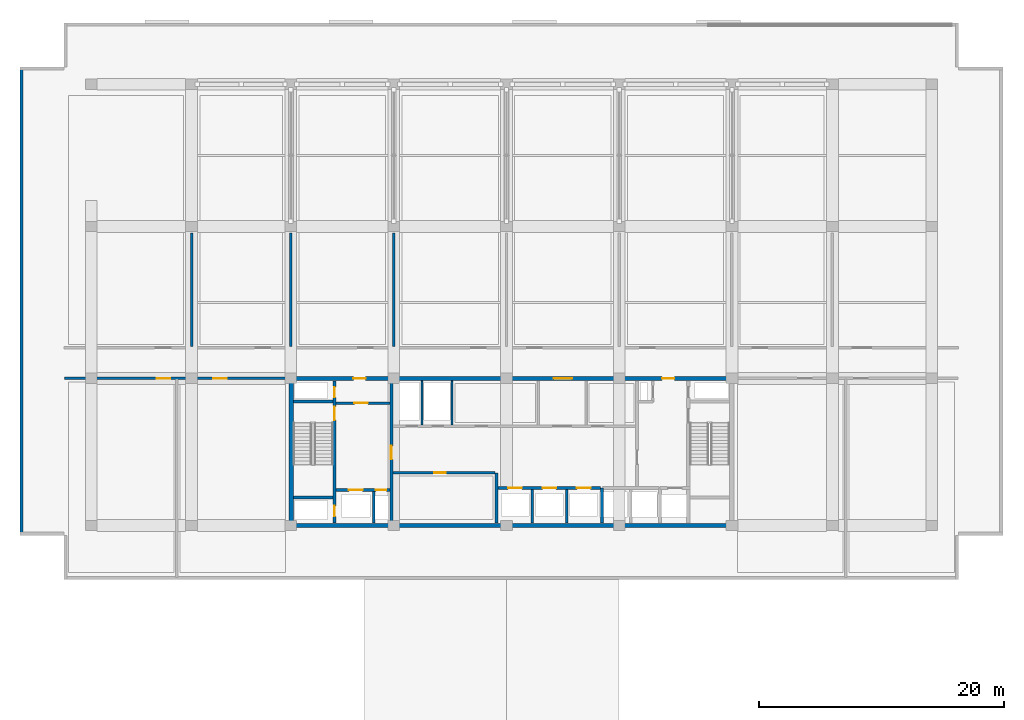
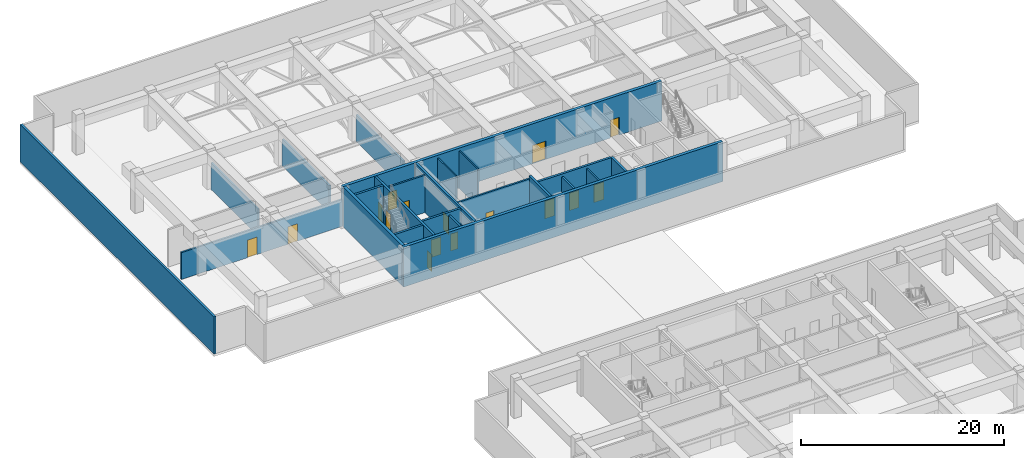
# One storey, part 11 of 22: 23 walls, 16 doors, 16 openings.
"""IFC4 building model written with IfcOpenShell, lengths in metres."""

import ifcopenshell
import ifcopenshell.guid

model = None  # the IFC model being written
_history = None  # IfcOwnerHistory: only IFC2X3 demands one
_inside = {}  # id of a spatial element -> (the spatial element, [elements in it])
_under = {}  # id of a project, library or spatial element -> (it, [spatial elements below it])
_declared = {}  # id of a project -> (the project, [libraries it declares])
_typed = {}  # id of a type object -> (the type object, [elements of that type])
_made_of = {}  # id of a material, layer set ... -> (it, [elements and type objects made of it])


def new_model(schema):
    """Start an empty IFC model of exactly this schema.

    Asked for "IFC4X3", IfcOpenShell would pick the latest addendum, in which some entities
    have other attributes; the version numbers below select the first issue.
    IFC2X3 requires an IfcOwnerHistory on every rooted entity: one is made here for all.
    """
    global model, _history
    if schema == "IFC4X3":
        model = ifcopenshell.file(schema_version=(4, 3, 0, 0))
    else:
        model = ifcopenshell.file(schema=schema)
    _inside.clear()
    _under.clear()
    _declared.clear()
    _typed.clear()
    _made_of.clear()
    _history = None
    if model.schema == "IFC2X3":
        org = make("IfcOrganization", Name="unknown")
        user = make(
            "IfcPersonAndOrganization",
            ThePerson=make("IfcPerson", FamilyName="unknown"),
            TheOrganization=org,
        )
        app = make(
            "IfcApplication",
            ApplicationDeveloper=org,
            Version="unknown",
            ApplicationFullName="unknown",
            ApplicationIdentifier="unknown",
        )
        _history = make(
            "IfcOwnerHistory",
            OwningUser=user,
            OwningApplication=app,
            ChangeAction="ADDED",
            CreationDate=0,
        )
    return model


def make(cls, **values):
    """One entity of the class cls with the attributes given. An attribute that is None is left unset."""
    return model.create_entity(
        cls, **{name: value for name, value in values.items() if value is not None}
    )


def rooted(cls, **values):
    """An entity with a GlobalId (a new one), such as an element, a storey or a relation."""
    return make(cls, GlobalId=ifcopenshell.guid.new(), OwnerHistory=_history, **values)


def si_unit(unit_type, name, prefix=None):
    """IfcSIUnit, for example si_unit("LENGTHUNIT", "METRE", prefix="MILLI")."""
    return make("IfcSIUnit", UnitType=unit_type, Prefix=prefix, Name=name)


def assignment(units):
    """IfcUnitAssignment: the units of a project."""
    return None if units is None else make("IfcUnitAssignment", Units=units)


def point(xyz):
    """IfcCartesianPoint."""
    return None if xyz is None else make("IfcCartesianPoint", Coordinates=xyz)


def direction(xyz):
    """IfcDirection."""
    return None if xyz is None else make("IfcDirection", DirectionRatios=xyz)


def frame(location, z_axis=None, x_axis=None):
    """IfcAxis2Placement3D, a coordinate frame: its origin and axes. An axis left out is left unset."""
    return make(
        "IfcAxis2Placement3D",
        Location=point(location),
        Axis=direction(z_axis),
        RefDirection=direction(x_axis),
    )


def frame_2d(location, x_axis=None):
    """IfcAxis2Placement2D, a coordinate frame in the plane: its origin and x axis."""
    return make(
        "IfcAxis2Placement2D", Location=point(location), RefDirection=direction(x_axis)
    )


def origin():
    """The frame at (0, 0, 0) with its axes left unset."""
    return frame((0.0, 0.0, 0.0))


def place(relative_to, where):
    """IfcLocalPlacement: puts the frame where relative to a parent placement (None: the world)."""
    return make(
        "IfcLocalPlacement", PlacementRelTo=relative_to, RelativePlacement=where
    )


def context(
    kind, dimensions, precision=None, world=None, true_north=None, identifier=None
):
    """IfcGeometricRepresentationContext, for example the 3D "Model" context."""
    return make(
        "IfcGeometricRepresentationContext",
        ContextIdentifier=identifier,
        ContextType=kind,
        CoordinateSpaceDimension=dimensions,
        Precision=precision,
        WorldCoordinateSystem=world,
        TrueNorth=true_north,
    )


def subcontext(parent, identifier, kind, view, scale=None):
    """IfcGeometricRepresentationSubContext, for example "Body" below "Model"."""
    return make(
        "IfcGeometricRepresentationSubContext",
        ContextIdentifier=identifier,
        ContextType=kind,
        ParentContext=parent,
        TargetScale=scale,
        TargetView=view,
    )


def project(units=None, contexts=None):
    """IfcProject with its units and contexts."""
    return rooted(
        "IfcProject",
        Name="project",
        RepresentationContexts=contexts,
        UnitsInContext=assignment(units),
    )


def spatial(cls, under=None, at=None, **own):
    """A site, building, storey or space (cls), placed at a placement, below another one or the project."""
    s = rooted(cls, ObjectPlacement=at, **own)
    if under is not None:
        _under.setdefault(under.id(), (under, []))[1].append(s)
    return s


def profile(cls, at=None, kind="AREA", **sizes):
    """A parametric profile (cls). Its sizes go by their IFC names, for example OverallWidth=200.0."""
    return make(cls, ProfileType=kind, Position=at, **sizes)


def rectangle(**sizes):
    """IfcRectangleProfileDef."""
    return profile("IfcRectangleProfileDef", **sizes)


def extrude(swept, where, along, depth):
    """IfcExtrudedAreaSolid: the profile swept, set in the frame where, extruded along a direction by depth."""
    return make(
        "IfcExtrudedAreaSolid",
        SweptArea=swept,
        Position=where,
        ExtrudedDirection=direction(along),
        Depth=depth,
    )


def shape(context_of_items, identifier, shape_type, items):
    """IfcShapeRepresentation: the items that make up one representation, for example the "Body"."""
    return make(
        "IfcShapeRepresentation",
        ContextOfItems=context_of_items,
        RepresentationIdentifier=identifier,
        RepresentationType=shape_type,
        Items=items,
    )


def material(Name=None, Category=None):
    """IfcMaterial."""
    return make("IfcMaterial", Name=Name, Category=Category)


def layer(
    of_material, thickness, ventilated=None, Name=None, Category=None, Priority=None
):
    """IfcMaterialLayer: one layer of a wall or slab, of a material (None: an air gap)."""
    return make(
        "IfcMaterialLayer",
        Material=of_material,
        LayerThickness=thickness,
        IsVentilated=ventilated,
        Name=Name,
        Category=Category,
        Priority=Priority,
    )


def layer_set(layers, Name=None):
    """IfcMaterialLayerSet."""
    return make("IfcMaterialLayerSet", MaterialLayers=layers, LayerSetName=Name)


def made_of(thing, what):
    """Note that an element or type object is made of a material, layer set ...; save() writes the relation."""
    if what is not None:
        _made_of.setdefault(what.id(), (what, []))[1].append(thing)
    return thing


def type_object(cls, material=None, **own):
    """A type object (cls), such as IfcWallType, which elements share."""
    return made_of(rooted(cls, **own), material)


def element(
    cls,
    number,
    at=None,
    inside=None,
    cuts=None,
    type_object=None,
    material=None,
    context=None,
    identifier="Body",
    shape_type=None,
    held_by="IfcProductDefinitionShape",
    body=None,
    shapes=None,
    **own,
):
    """One element of the class cls, such as IfcWall. Its Tag is "e" and its number.

    at: its placement. inside: the storey or other place that contains it. cuts: it is an
    opening in that element (IfcRelVoidsElement). A single representation is given by context,
    identifier, shape_type and body (its items); several are given by shapes. held_by: the class
    of the entity that holds the representations. save() writes the other relations.
    """
    e = rooted(cls, Tag="e%d" % number, ObjectPlacement=at, **own)
    if body is not None:
        shapes = [shape(context, identifier, shape_type, body)]
    if shapes is not None:
        e.Representation = make(held_by, Representations=shapes)
    if inside is not None:
        _inside.setdefault(inside.id(), (inside, []))[1].append(e)
    if cuts is not None:
        rooted(
            "IfcRelVoidsElement", RelatingBuildingElement=cuts, RelatedOpeningElement=e
        )
    if type_object is not None:
        _typed.setdefault(type_object.id(), (type_object, []))[1].append(e)
    return made_of(e, material)


def fill(opening, filler):
    """IfcRelFillsElement: the door or window that sits in an opening."""
    return rooted(
        "IfcRelFillsElement",
        RelatingOpeningElement=opening,
        RelatedBuildingElement=filler,
    )


def aggregate(whole, parts):
    """IfcRelAggregates: a whole, such as a stair, and the parts it consists of."""
    return rooted("IfcRelAggregates", RelatingObject=whole, RelatedObjects=parts)


def save(model, path):
    """Write the relations noted so far, then the file.

    IfcRelAggregates (storeys below a building ...), IfcRelContainedInSpatialStructure (elements
    in a storey), IfcRelDefinesByType, IfcRelAssociatesMaterial and IfcRelDeclares: one each for
    every whole, place, type object, material and project.
    """
    for whole, parts in _under.values():
        aggregate(whole, parts)
    for where, things in _inside.values():
        rooted(
            "IfcRelContainedInSpatialStructure",
            RelatedElements=things,
            RelatingStructure=where,
        )
    for kind, things in _typed.values():
        rooted("IfcRelDefinesByType", RelatedObjects=things, RelatingType=kind)
    for what, things in _made_of.values():
        rooted("IfcRelAssociatesMaterial", RelatedObjects=things, RelatingMaterial=what)
    for by, libraries in _declared.values():
        rooted("IfcRelDeclares", RelatingContext=by, RelatedDefinitions=libraries)
    model.write(path)


model = new_model("IFC4")

# Units and contexts
model_context = context("Model", 3, precision=1e-05, world=origin(), true_north=direction((0.0, 1.0)))
body_context = subcontext(model_context, "Body", "Model", "MODEL_VIEW")
ifc_project = project(units=[si_unit("LENGTHUNIT", "METRE"), si_unit("AREAUNIT", "SQUARE_METRE"), si_unit("VOLUMEUNIT", "CUBIC_METRE"), si_unit("PLANEANGLEUNIT", "RADIAN"), si_unit("MASSUNIT", "GRAM", prefix="KILO")], contexts=[model_context])

# Site, building, storey
site_placement = place(None, origin())
site = spatial("IfcSite", under=ifc_project, at=site_placement, CompositionType="ELEMENT")
building_placement = place(site_placement, origin())
building = spatial("IfcBuilding", under=site, at=building_placement, Name="Korimba Cascade Residences", CompositionType="ELEMENT")
storey_placement = place(building_placement, frame((0.0, 0.0, 157.300048828125)))
storey = spatial("IfcBuildingStorey", under=building, at=storey_placement, Name="L45", CompositionType="ELEMENT", Elevation=157.300048828125)

# Walls
ifc_material_1 = material(Name="Precast concrete C40/50", Category="concrete")
ifc_layer_1 = layer(ifc_material_1, 0.25)
ifc_layer_set_1 = layer_set([ifc_layer_1], Name="Precast concrete C40/50")
wall_type_1 = type_object("IfcWallType", Name="EW-PLNT-250", PredefinedType="SHEAR", material=ifc_layer_set_1)
wall_1_placement = place(storey_placement, frame((54.125, 92.60009765625, 0.0), z_axis=(0.0, 0.0, 1.0), x_axis=(0.0, -1.0, 0.0)))
element("IfcWall", 1, at=wall_1_placement, inside=storey, type_object=wall_type_1, Name="L45 T1 Perimeter Stone Wall E09", PredefinedType="SHEAR", context=body_context, shape_type="SweptSolid", body=[
    extrude(rectangle(XDim=38.2001953125, YDim=0.25, at=frame_2d((19.10009765625, 0.0))), origin(), (0.0, 0.0, 1.0), 4.47998046875),
])
ifc_material_2 = material(Name="Concrete C65/80", Category="concrete")
ifc_layer_2 = layer(ifc_material_2, 0.35009765625)
ifc_layer_set_2 = layer_set([ifc_layer_2], Name="Concrete C65/80")
wall_type_2 = type_object("IfcWallType", Name="WAL-CORE-350", PredefinedType="SHEAR", material=ifc_layer_set_2)
wall_2_placement = place(storey_placement, frame((75.949951171875, 55.199951171875, 0.0), z_axis=(0.0, 0.0, 1.0), x_axis=(1.0, 0.0, 0.0)))
element("IfcWall", 2, at=wall_2_placement, inside=storey, type_object=wall_type_2, Name="L45 Core Shear Wall CW-L45-T1-S", PredefinedType="SHEAR", context=body_context, shape_type="SweptSolid", body=[
    extrude(rectangle(XDim=36.300048828125, YDim=0.35009765625, at=frame_2d((18.14990234375, 0.0))), origin(), (0.0, 0.0, 1.0), 4.800048828125),
])
wall_3_placement = place(storey_placement, frame((76.125, 55.375, 0.0), z_axis=(0.0, 0.0, 1.0), x_axis=(0.0, 1.0, 0.0)))
element("IfcWall", 3, at=wall_3_placement, inside=storey, type_object=wall_type_2, Name="L45 Core Shear Wall CW-L45-T1-W", PredefinedType="SHEAR", context=body_context, shape_type="SweptSolid", body=[
    extrude(rectangle(XDim=11.64990234375, YDim=0.35009765625, at=frame_2d((5.824951171875, 0.0))), origin(), (0.0, 0.0, 1.0), 4.800048828125),
])

# Wall, openings, doors
wall_4_placement = place(storey_placement, frame((75.949951171875, 67.199951171875, 0.0), z_axis=(0.0, 0.0, 1.0), x_axis=(1.0, 0.0, 0.0)))
wall_4 = element("IfcWall", 4, at=wall_4_placement, inside=storey, type_object=wall_type_2, Name="L45 Core Shear Wall CW-L45-T1-N", PredefinedType="SHEAR", context=body_context, shape_type="SweptSolid", body=[
    extrude(rectangle(XDim=36.300048828125, YDim=0.35009765625, at=frame_2d((18.14990234375, 0.0))), origin(), (0.0, 0.0, 1.0), 4.800048828125),
])
opening_1_placement = place(wall_4_placement, frame((5.25, 0.0, 0.0)))
opening_1 = element("IfcOpeningElement", 5, at=opening_1_placement, cuts=wall_4, Name="Opening D-FD5", PredefinedType="OPENING", context=body_context, shape_type="SweptSolid", body=[
    extrude(rectangle(XDim=1.0, YDim=2.14990234375, at=frame_2d((0.5, 1.074951171875))), frame((0.0, 0.18505859375, 0.0), z_axis=(0.0, -1.0, 0.0), x_axis=(1.0, 0.0, 0.0)), (0.0, 0.0, 1.0), 0.3701171875),
])
opening_2_placement = place(wall_4_placement, frame((21.60009765625, 0.0, 0.0)))
opening_2 = element("IfcOpeningElement", 6, at=opening_2_placement, cuts=wall_4, Name="Opening D-FD8", PredefinedType="OPENING", context=body_context, shape_type="SweptSolid", body=[
    extrude(rectangle(XDim=1.5, YDim=2.199951171875, at=frame_2d((0.75, 1.10009765625))), frame((0.0, 0.18505859375, 0.0), z_axis=(0.0, -1.0, 0.0), x_axis=(1.0, 0.0, 0.0)), (0.0, 0.0, 1.0), 0.3701171875),
])
opening_3_placement = place(wall_4_placement, frame((30.449951171875, 0.0, 0.0)))
opening_3 = element("IfcOpeningElement", 7, at=opening_3_placement, cuts=wall_4, Name="Opening D-FD5", PredefinedType="OPENING", context=body_context, shape_type="SweptSolid", body=[
    extrude(rectangle(XDim=1.0, YDim=2.14990234375, at=frame_2d((0.5, 1.074951171875))), frame((0.0, 0.18505859375, 0.0), z_axis=(0.0, -1.0, 0.0), x_axis=(1.0, 0.0, 0.0)), (0.0, 0.0, 1.0), 0.3701171875),
])
ifc_material_3 = material(Name="Fire-Rated Acoustic Timber Vestibule Door", Category="wood")
door_type_1 = type_object("IfcDoorType", Name="DR-FD90-1000", OperationType="NOTDEFINED", PredefinedType="DOOR", material=ifc_material_3)
door_1_placement = place(opening_1_placement, origin())
door_1 = element("IfcDoor", 8, at=door_1_placement, inside=storey, type_object=door_type_1, Name="L45 T1 West Core Vestibule Fire Door", OperationType="SINGLE_SWING_RIGHT", OverallHeight=2.14990234375, OverallWidth=1.0, PredefinedType="DOOR", context=body_context, shape_type="SweptSolid", body=[
    extrude(rectangle(XDim=1.0, YDim=2.14990234375, at=frame_2d((0.5, 1.074951171875))), frame((0.0, 0.02490234375, 0.0), z_axis=(0.0, -1.0, 0.0), x_axis=(1.0, 0.0, 0.0)), (0.0, 0.0, 1.0), 0.050048828125),
])
fill(opening_1, door_1)
door_2_placement = place(opening_3_placement, origin())
door_2 = element("IfcDoor", 9, at=door_2_placement, inside=storey, type_object=door_type_1, Name="L45 T1 East Firefighting Vestibule Fire Door", OperationType="SINGLE_SWING_LEFT", OverallHeight=2.14990234375, OverallWidth=1.0, PredefinedType="DOOR", context=body_context, shape_type="SweptSolid", body=[
    extrude(rectangle(XDim=1.0, YDim=2.14990234375, at=frame_2d((0.5, 1.074951171875))), frame((0.0, 0.02490234375, 0.0), z_axis=(0.0, -1.0, 0.0), x_axis=(1.0, 0.0, 0.0)), (0.0, 0.0, 1.0), 0.050048828125),
])
fill(opening_3, door_2)
ifc_material_4 = material(Name="Fire-Rated Glazed Lift Lobby Double Door", Category="glass")
door_type_2 = type_object("IfcDoorType", Name="DR-FD90-1500", OperationType="NOTDEFINED", PredefinedType="DOOR", material=ifc_material_4)
door_3_placement = place(opening_2_placement, origin())
door_3 = element("IfcDoor", 10, at=door_3_placement, inside=storey, type_object=door_type_2, Name="L45 T1 Lift Lobby Fire Door", OperationType="DOUBLE_DOOR_SINGLE_SWING", OverallHeight=2.199951171875, OverallWidth=1.5, PredefinedType="DOOR", context=body_context, shape_type="SweptSolid", body=[
    extrude(rectangle(XDim=1.5, YDim=2.199951171875, at=frame_2d((0.75, 1.10009765625))), frame((0.0, 0.02490234375, 0.0), z_axis=(0.0, -1.0, 0.0), x_axis=(1.0, 0.0, 0.0)), (0.0, 0.0, 1.0), 0.050048828125),
])
fill(opening_2, door_3)

# Walls
ifc_material_5 = material(Name="Insulated Acoustic Stud Partition", Category="gypsum")
ifc_layer_3 = layer(ifc_material_5, 0.14990234375)
ifc_layer_set_3 = layer_set([ifc_layer_3], Name="Insulated Acoustic Stud Partition")
wall_type_3 = type_object("IfcWallType", Name="WAL-PART-150", PredefinedType="PARTITIONING", material=ifc_layer_set_3)
for number, where, z_axis, x_axis, name in (
    (11, (86.800048828125, 63.39990234375, 0.0), (0.0, 0.0, 1.0), (0.0, 1.0, 0.0), "L45 Partition Wall CW-L45-T1-ERDIV"),
    (12, (89.25, 63.39990234375, 0.0), (0.0, 0.0, 1.0), (0.0, 1.0, 0.0), "L45 Partition Wall CW-L45-T1-PRDIV"),
):
    element("IfcWall", number, at=place(storey_placement, frame(where, z_axis=z_axis, x_axis=x_axis)), inside=storey, type_object=wall_type_3, Name=name, PredefinedType="PARTITIONING", context=body_context, shape_type="SweptSolid", body=[
        extrude(rectangle(XDim=3.60009765625, YDim=0.14990234375, at=frame_2d((1.800048828125, 0.0))), origin(), (0.0, 0.0, 1.0), 4.47998046875),
    ])
ifc_material_6 = material(Name="Concrete C40/50", Category="concrete")
ifc_layer_4 = layer(ifc_material_6, 0.199951171875)
ifc_layer_set_4 = layer_set([ifc_layer_4], Name="Concrete C40/50")
wall_type_4 = type_object("IfcWallType", Name="WAL-PART-200", PredefinedType="PARTITIONING", material=ifc_layer_set_4)
wall_5_placement = place(storey_placement, frame((82.85009765625, 55.39990234375, 0.0), z_axis=(0.0, 0.0, 1.0), x_axis=(0.0, 1.0, 0.0)))
element("IfcWall", 13, at=wall_5_placement, inside=storey, type_object=wall_type_4, Name="L45 Partition Wall CW-L45-T1-FFLDIV", PredefinedType="PARTITIONING", context=body_context, shape_type="SweptSolid", body=[
    extrude(rectangle(XDim=2.56005859375, YDim=0.199951171875, at=frame_2d((1.280029296875, 0.0))), origin(), (0.0, 0.0, 1.0), 4.47998046875),
])

# Wall, opening, door
wall_6_placement = place(storey_placement, frame((79.7900390625, 65.179931640625, 0.0), z_axis=(0.0, 0.0, 1.0), x_axis=(1.0, 0.0, 0.0)))
wall_6 = element("IfcWall", 14, at=wall_6_placement, inside=storey, type_object=wall_type_4, Name="L45 Partition Wall CW-L45-T1-FFLN", PredefinedType="PARTITIONING", context=body_context, shape_type="SweptSolid", body=[
    extrude(rectangle(XDim=4.389892578125, YDim=0.199951171875, at=frame_2d((2.19482421875, 0.0))), origin(), (0.0, 0.0, 1.0), 4.47998046875),
])
opening_4_placement = place(wall_6_placement, frame((1.5, 0.0, 0.0)))
opening_4 = element("IfcOpeningElement", 15, at=opening_4_placement, cuts=wall_6, Name="Opening D-FD1", PredefinedType="OPENING", context=body_context, shape_type="SweptSolid", body=[
    extrude(rectangle(XDim=1.10009765625, YDim=2.10009765625, at=frame_2d((0.550048828125, 1.050048828125))), frame((0.0, 0.10986328125, 0.0), z_axis=(0.0, -1.0, 0.0), x_axis=(1.0, 0.0, 0.0)), (0.0, 0.0, 1.0), 0.219970703125),
])
ifc_material_7 = material(Name="Fire-Rated Steel Core Door", Category="steel")
door_type_3 = type_object("IfcDoorType", Name="DR-FD120-1100", OperationType="NOTDEFINED", PredefinedType="DOOR", material=ifc_material_7)
door_4_placement = place(opening_4_placement, origin())
door_4 = element("IfcDoor", 16, at=door_4_placement, inside=storey, type_object=door_type_3, Name="L45 West Firefighting Lobby Door", OperationType="SINGLE_SWING_RIGHT", OverallHeight=2.10009765625, OverallWidth=1.10009765625, PredefinedType="DOOR", context=body_context, shape_type="SweptSolid", body=[
    extrude(rectangle(XDim=1.10009765625, YDim=2.10009765625, at=frame_2d((0.550048828125, 1.050048828125))), frame((0.0, 0.02490234375, 0.0), z_axis=(0.0, -1.0, 0.0), x_axis=(1.0, 0.0, 0.0)), (0.0, 0.0, 1.0), 0.050048828125),
])
fill(opening_4, door_4)

wall_7_placement = place(storey_placement, frame((84.419921875, 59.5, 0.0), z_axis=(0.0, 0.0, 1.0), x_axis=(1.0, 0.0, 0.0)))
wall_7 = element("IfcWall", 17, at=wall_7_placement, inside=storey, type_object=wall_type_4, Name="L45 Partition Wall CW-L45-T1-B1RN", PredefinedType="PARTITIONING", context=body_context, shape_type="SweptSolid", body=[
    extrude(rectangle(XDim=8.360107421875, YDim=0.199951171875, at=frame_2d((4.18017578125, 0.0))), origin(), (0.0, 0.0, 1.0), 4.47998046875),
])
opening_5_placement = place(wall_7_placement, frame((3.39990234375, 0.0, 0.0)))
opening_5 = element("IfcOpeningElement", 18, at=opening_5_placement, cuts=wall_7, Name="Opening D-ST1", PredefinedType="OPENING", context=body_context, shape_type="SweptSolid", body=[
    extrude(rectangle(XDim=0.919921875, YDim=2.080078125, at=frame_2d((0.4599609375, 1.0400390625))), frame((0.0, 0.10986328125, 0.0), z_axis=(0.0, -1.0, 0.0), x_axis=(1.0, 0.0, 0.0)), (0.0, 0.0, 1.0), 0.219970703125),
])
ifc_material_8 = material(Name="Fire-Rated Core Store Door", Category="wood")
door_type_4 = type_object("IfcDoorType", Name="DR-FD60-920", OperationType="NOTDEFINED", PredefinedType="DOOR", material=ifc_material_8)
door_5_placement = place(opening_5_placement, origin())
door_5 = element("IfcDoor", 19, at=door_5_placement, inside=storey, type_object=door_type_4, Name="L45 Resident Storage Door", OperationType="SINGLE_SWING_RIGHT", OverallHeight=2.080078125, OverallWidth=0.919921875, PredefinedType="DOOR", context=body_context, shape_type="SweptSolid", body=[
    extrude(rectangle(XDim=0.919921875, YDim=2.080078125, at=frame_2d((0.4599609375, 1.0400390625))), frame((0.0, 0.02490234375, 0.0), z_axis=(0.0, -1.0, 0.0), x_axis=(1.0, 0.0, 0.0)), (0.0, 0.0, 1.0), 0.050048828125),
])
fill(opening_5, door_5)

# Walls
for number, where, z_axis, x_axis, name in (
    (20, (95.800048828125, 55.39990234375, 0.0), (0.0, 0.0, 1.0), (0.0, 1.0, 0.0), "L45 Partition Wall CW-L45-T1-B2D1"),
    (21, (98.60009765625, 55.39990234375, 0.0), (0.0, 0.0, 1.0), (0.0, 1.0, 0.0), "L45 Partition Wall CW-L45-T1-B2D2"),
):
    element("IfcWall", number, at=place(storey_placement, frame(where, z_axis=z_axis, x_axis=x_axis)), inside=storey, type_object=wall_type_4, Name=name, PredefinedType="PARTITIONING", context=body_context, shape_type="SweptSolid", body=[
        extrude(rectangle(XDim=2.72021484375, YDim=0.199951171875, at=frame_2d((1.360107421875, 0.0))), origin(), (0.0, 0.0, 1.0), 4.47998046875),
    ])
for number, where, z_axis, x_axis, name in (
    (22, (68.0, 69.800048828125, 0.0), (0.0, 0.0, 1.0), (0.0, 1.0, 0.0), "L45 Partition Wall WAL-L45-T1-PD1"),
    (23, (76.10009765625, 69.800048828125, 0.0), (0.0, 0.0, 1.0), (0.0, 1.0, 0.0), "L45 Partition Wall WAL-L45-T1-PD2"),
    (24, (84.5, 69.800048828125, 0.0), (0.0, 0.0, 1.0), (0.0, 1.0, 0.0), "L45 Partition Wall WAL-L45-T1-PD3"),
):
    element("IfcWall", number, at=place(storey_placement, frame(where, z_axis=z_axis, x_axis=x_axis)), inside=storey, type_object=wall_type_4, Name=name, PredefinedType="PARTITIONING", context=body_context, shape_type="SweptSolid", body=[
        extrude(rectangle(XDim=9.25, YDim=0.199951171875, at=frame_2d((4.625, 0.0))), origin(), (0.0, 0.0, 1.0), 3.22998046875),
    ])

# Wall, openings, doors
wall_8_placement = place(storey_placement, frame((57.64990234375, 67.199951171875, 0.0), z_axis=(0.0, 0.0, 1.0), x_axis=(1.0, 0.0, 0.0)))
wall_8 = element("IfcWall", 25, at=wall_8_placement, inside=storey, type_object=wall_type_4, Name="L45 Partition Wall WAL-L45-T1-RWWN", PredefinedType="PARTITIONING", context=body_context, shape_type="SweptSolid", body=[
    extrude(rectangle(XDim=18.300048828125, YDim=0.199951171875, at=frame_2d((9.14990234375, 0.0))), origin(), (0.0, 0.0, 1.0), 3.22998046875),
])
opening_6_placement = place(wall_8_placement, frame((7.509033203125, 0.0, 0.0)))
opening_6 = element("IfcOpeningElement", 26, at=opening_6_placement, cuts=wall_8, Name="Opening D-FD1", PredefinedType="OPENING", context=body_context, shape_type="SweptSolid", body=[
    extrude(rectangle(XDim=1.10009765625, YDim=2.10009765625, at=frame_2d((0.550048828125, 1.050048828125))), frame((0.0, 0.10986328125, 0.0), z_axis=(0.0, -1.0, 0.0), x_axis=(1.0, 0.0, 0.0)), (0.0, 0.0, 1.0), 0.219970703125),
])
opening_7_placement = place(wall_8_placement, frame((12.10595703125, 0.0, 0.0)))
opening_7 = element("IfcOpeningElement", 27, at=opening_7_placement, cuts=wall_8, Name="Opening D-FD1", PredefinedType="OPENING", context=body_context, shape_type="SweptSolid", body=[
    extrude(rectangle(XDim=1.10009765625, YDim=2.10009765625, at=frame_2d((0.550048828125, 1.050048828125))), frame((0.0, 0.10986328125, 0.0), z_axis=(0.0, -1.0, 0.0), x_axis=(1.0, 0.0, 0.0)), (0.0, 0.0, 1.0), 0.219970703125),
])
door_6_placement = place(opening_6_placement, origin())
door_6 = element("IfcDoor", 28, at=door_6_placement, inside=storey, type_object=door_type_3, Name="L45 W Tank Plant Door", OperationType="SINGLE_SWING_RIGHT", OverallHeight=2.10009765625, OverallWidth=1.10009765625, PredefinedType="DOOR", context=body_context, shape_type="SweptSolid", body=[
    extrude(rectangle(XDim=1.10009765625, YDim=2.10009765625, at=frame_2d((0.550048828125, 1.050048828125))), frame((0.0, 0.02490234375, 0.0), z_axis=(0.0, -1.0, 0.0), x_axis=(1.0, 0.0, 0.0)), (0.0, 0.0, 1.0), 0.050048828125),
])
fill(opening_6, door_6)
door_7_placement = place(opening_7_placement, origin())
door_7 = element("IfcDoor", 29, at=door_7_placement, inside=storey, type_object=door_type_3, Name="L45 W Switchroom Door", OperationType="SINGLE_SWING_LEFT", OverallHeight=2.10009765625, OverallWidth=1.10009765625, PredefinedType="DOOR", context=body_context, shape_type="SweptSolid", body=[
    extrude(rectangle(XDim=1.10009765625, YDim=2.10009765625, at=frame_2d((0.550048828125, 1.050048828125))), frame((0.0, 0.02490234375, 0.0), z_axis=(0.0, -1.0, 0.0), x_axis=(1.0, 0.0, 0.0)), (0.0, 0.0, 1.0), 0.050048828125),
])
fill(opening_7, door_7)

ifc_material_9 = material(Name="Concrete C50/60", Category="concrete")
ifc_layer_5 = layer(ifc_material_9, 0.25)
ifc_layer_set_5 = layer_set([ifc_layer_5], Name="Concrete C50/60")
wall_type_5 = type_object("IfcWallType", Name="WAL-SHAFT-250", PredefinedType="SHEAR", material=ifc_layer_set_5)
wall_9_placement = place(storey_placement, frame((79.6650390625, 55.39990234375, 0.0), z_axis=(0.0, 0.0, 1.0), x_axis=(0.0, 1.0, 0.0)))
wall_9 = element("IfcWall", 30, at=wall_9_placement, inside=storey, type_object=wall_type_5, Name="L45 Core Shear Wall CW-L45-T1-STW1E", PredefinedType="SHEAR", context=body_context, shape_type="SweptSolid", body=[
    extrude(rectangle(XDim=11.60009765625, YDim=0.25, at=frame_2d((5.800048828125, 0.0))), origin(), (0.0, 0.0, 1.0), 4.800048828125),
])
opening_8_placement = place(wall_9_placement, frame((0.550048828125, 0.0, 0.0)))
opening_8 = element("IfcOpeningElement", 31, at=opening_8_placement, cuts=wall_9, Name="Opening D-RS1", PredefinedType="OPENING", context=body_context, shape_type="SweptSolid", body=[
    extrude(rectangle(XDim=0.85009765625, YDim=2.050048828125, at=frame_2d((0.425048828125, 1.02490234375))), frame((0.0, 0.135009765625, 0.0), z_axis=(0.0, -1.0, 0.0), x_axis=(1.0, 0.0, 0.0)), (0.0, 0.0, 1.0), 0.27001953125),
])
opening_9_placement = place(wall_9_placement, frame((8.39990234375, 0.0, 0.0)))
opening_9 = element("IfcOpeningElement", 32, at=opening_9_placement, cuts=wall_9, Name="Opening D-FD1", PredefinedType="OPENING", context=body_context, shape_type="SweptSolid", body=[
    extrude(rectangle(XDim=1.10009765625, YDim=2.10009765625, at=frame_2d((0.550048828125, 1.050048828125))), frame((0.0, 0.135009765625, 0.0), z_axis=(0.0, -1.0, 0.0), x_axis=(1.0, 0.0, 0.0)), (0.0, 0.0, 1.0), 0.27001953125),
])
opening_10_placement = place(wall_9_placement, frame((10.25, 0.0, 0.0)))
opening_10 = element("IfcOpeningElement", 33, at=opening_10_placement, cuts=wall_9, Name="Opening D-RS1", PredefinedType="OPENING", context=body_context, shape_type="SweptSolid", body=[
    extrude(rectangle(XDim=0.85009765625, YDim=2.050048828125, at=frame_2d((0.425048828125, 1.02490234375))), frame((0.0, 0.135009765625, 0.0), z_axis=(0.0, -1.0, 0.0), x_axis=(1.0, 0.0, 0.0)), (0.0, 0.0, 1.0), 0.27001953125),
])
door_8_placement = place(opening_9_placement, origin())
door_8 = element("IfcDoor", 34, at=door_8_placement, inside=storey, type_object=door_type_3, Name="L45 Fire Stair ST-W1 Door", OperationType="SINGLE_SWING_LEFT", OverallHeight=2.10009765625, OverallWidth=1.10009765625, PredefinedType="DOOR", context=body_context, shape_type="SweptSolid", body=[
    extrude(rectangle(XDim=1.10009765625, YDim=2.10009765625, at=frame_2d((0.550048828125, 1.050048828125))), frame((0.0, 0.02490234375, 0.0), z_axis=(0.0, -1.0, 0.0), x_axis=(1.0, 0.0, 0.0)), (0.0, 0.0, 1.0), 0.050048828125),
])
fill(opening_9, door_8)
ifc_material_10 = material(Name="Fire-Rated Steel Riser Access Door", Category="steel")
door_type_5 = type_object("IfcDoorType", Name="DR-FD60-850", OperationType="NOTDEFINED", PredefinedType="DOOR", material=ifc_material_10)
door_9_placement = place(opening_8_placement, origin())
door_9 = element("IfcDoor", 35, at=door_9_placement, inside=storey, type_object=door_type_5, Name="L45 Smoke Riser Access Door", OperationType="SINGLE_SWING_RIGHT", OverallHeight=2.050048828125, OverallWidth=0.85009765625, PredefinedType="DOOR", context=body_context, shape_type="SweptSolid", body=[
    extrude(rectangle(XDim=0.85009765625, YDim=2.050048828125, at=frame_2d((0.425048828125, 1.02490234375))), frame((0.0, 0.02490234375, 0.0), z_axis=(0.0, -1.0, 0.0), x_axis=(1.0, 0.0, 0.0)), (0.0, 0.0, 1.0), 0.050048828125),
])
fill(opening_8, door_9)
door_10_placement = place(opening_10_placement, origin())
door_10 = element("IfcDoor", 36, at=door_10_placement, inside=storey, type_object=door_type_5, Name="L45 Hydrant Riser Access Door", OperationType="SINGLE_SWING_RIGHT", OverallHeight=2.050048828125, OverallWidth=0.85009765625, PredefinedType="DOOR", context=body_context, shape_type="SweptSolid", body=[
    extrude(rectangle(XDim=0.85009765625, YDim=2.050048828125, at=frame_2d((0.425048828125, 1.02490234375))), frame((0.0, 0.02490234375, 0.0), z_axis=(0.0, -1.0, 0.0), x_axis=(1.0, 0.0, 0.0)), (0.0, 0.0, 1.0), 0.050048828125),
])
fill(opening_10, door_10)

# Walls
for number, where, z_axis, x_axis, name in (
    (37, (76.300048828125, 57.47509765625, 0.0), (0.0, 0.0, 1.0), (1.0, 0.0, 0.0), "L45 Core Shear Wall CW-L45-T1-STW1S"),
    (38, (76.300048828125, 65.324951171875, 0.0), (0.0, 0.0, 1.0), (1.0, 0.0, 0.0), "L45 Core Shear Wall CW-L45-T1-STW1N"),
):
    element("IfcWall", number, at=place(storey_placement, frame(where, z_axis=z_axis, x_axis=x_axis)), inside=storey, type_object=wall_type_5, Name=name, PredefinedType="SHEAR", context=body_context, shape_type="SweptSolid", body=[
        extrude(rectangle(XDim=3.239990234375, YDim=0.25, at=frame_2d((1.6201171875, 0.0))), origin(), (0.0, 0.0, 1.0), 4.800048828125),
    ])

# Wall, openings, doors
wall_10_placement = place(storey_placement, frame((79.7900390625, 58.10009765625, 0.0), z_axis=(0.0, 0.0, 1.0), x_axis=(1.0, 0.0, 0.0)))
wall_10 = element("IfcWall", 39, at=wall_10_placement, inside=storey, type_object=wall_type_5, Name="L45 Core Shear Wall CW-L45-T1-FFLS", PredefinedType="SHEAR", context=body_context, shape_type="SweptSolid", body=[
    extrude(rectangle(XDim=4.389892578125, YDim=0.25, at=frame_2d((2.19482421875, 0.0))), origin(), (0.0, 0.0, 1.0), 4.800048828125),
])
opening_11_placement = place(wall_10_placement, frame((1.050048828125, 0.0, 0.0)))
opening_11 = element("IfcOpeningElement", 40, at=opening_11_placement, cuts=wall_10, Name="Opening LD-01", PredefinedType="OPENING", context=body_context, shape_type="SweptSolid", body=[
    extrude(rectangle(XDim=1.1201171875, YDim=2.1201171875, at=frame_2d((0.56005859375, 1.06005859375))), frame((0.0, 0.135009765625, 0.0), z_axis=(0.0, -1.0, 0.0), x_axis=(1.0, 0.0, 0.0)), (0.0, 0.0, 1.0), 0.27001953125),
])
opening_12_placement = place(wall_10_placement, frame((3.260009765625, 0.0, 0.0)))
opening_12 = element("IfcOpeningElement", 41, at=opening_12_placement, cuts=wall_10, Name="Opening D-RS1", PredefinedType="OPENING", context=body_context, shape_type="SweptSolid", body=[
    extrude(rectangle(XDim=0.85009765625, YDim=2.050048828125, at=frame_2d((0.425048828125, 1.02490234375))), frame((0.0, 0.135009765625, 0.0), z_axis=(0.0, -1.0, 0.0), x_axis=(1.0, 0.0, 0.0)), (0.0, 0.0, 1.0), 0.27001953125),
])
door_11_placement = place(opening_12_placement, origin())
door_11 = element("IfcDoor", 42, at=door_11_placement, inside=storey, type_object=door_type_5, Name="L45 Pressurisation Riser Door", OperationType="SINGLE_SWING_LEFT", OverallHeight=2.050048828125, OverallWidth=0.85009765625, PredefinedType="DOOR", context=body_context, shape_type="SweptSolid", body=[
    extrude(rectangle(XDim=0.85009765625, YDim=2.050048828125, at=frame_2d((0.425048828125, 1.02490234375))), frame((0.0, 0.02490234375, 0.0), z_axis=(0.0, -1.0, 0.0), x_axis=(1.0, 0.0, 0.0)), (0.0, 0.0, 1.0), 0.050048828125),
])
fill(opening_12, door_11)
ifc_material_11 = material(Name="Stainless Steel Lift Landing Sliding Door", Category="steel")
door_type_6 = type_object("IfcDoorType", Name="DR-LIFT-1100", OperationType="NOTDEFINED", PredefinedType="DOOR", material=ifc_material_11)
door_12_placement = place(opening_11_placement, origin())
door_12 = element("IfcDoor", 43, at=door_12_placement, inside=storey, type_object=door_type_6, Name="L45 Firefighting Lift Landing Door FFL-W1", OperationType="SLIDING_TO_LEFT", OverallHeight=2.1201171875, OverallWidth=1.1201171875, PredefinedType="DOOR", context=body_context, shape_type="SweptSolid", body=[
    extrude(rectangle(XDim=1.1201171875, YDim=2.1201171875, at=frame_2d((0.56005859375, 1.06005859375))), frame((0.0, 0.02490234375, 0.0), z_axis=(0.0, -1.0, 0.0), x_axis=(1.0, 0.0, 0.0)), (0.0, 0.0, 1.0), 0.050048828125),
])
fill(opening_11, door_12)

# Wall, opening, door
wall_11_placement = place(storey_placement, frame((84.300048828125, 55.39990234375, 0.0), z_axis=(0.0, 0.0, 1.0), x_axis=(0.0, 1.0, 0.0)))
wall_11 = element("IfcWall", 44, at=wall_11_placement, inside=storey, type_object=wall_type_5, Name="L45 Core Shear Wall CW-L45-T1-FFLE", PredefinedType="SHEAR", context=body_context, shape_type="SweptSolid", body=[
    extrude(rectangle(XDim=11.60009765625, YDim=0.25, at=frame_2d((5.800048828125, 0.0))), origin(), (0.0, 0.0, 1.0), 4.800048828125),
])
opening_13_placement = place(wall_11_placement, frame((5.199951171875, 0.0, 0.0)))
opening_13 = element("IfcOpeningElement", 45, at=opening_13_placement, cuts=wall_11, Name="Opening D-FD1", PredefinedType="OPENING", context=body_context, shape_type="SweptSolid", body=[
    extrude(rectangle(XDim=1.10009765625, YDim=2.10009765625, at=frame_2d((0.550048828125, 1.050048828125))), frame((0.0, 0.135009765625, 0.0), z_axis=(0.0, -1.0, 0.0), x_axis=(1.0, 0.0, 0.0)), (0.0, 0.0, 1.0), 0.27001953125),
])
door_13_placement = place(opening_13_placement, origin())
door_13 = element("IfcDoor", 46, at=door_13_placement, inside=storey, type_object=door_type_3, Name="L45 Firefighting Lobby to Lift Lobby Door", OperationType="SINGLE_SWING_LEFT", OverallHeight=2.10009765625, OverallWidth=1.10009765625, PredefinedType="DOOR", context=body_context, shape_type="SweptSolid", body=[
    extrude(rectangle(XDim=1.10009765625, YDim=2.10009765625, at=frame_2d((0.550048828125, 1.050048828125))), frame((0.0, 0.02490234375, 0.0), z_axis=(0.0, -1.0, 0.0), x_axis=(1.0, 0.0, 0.0)), (0.0, 0.0, 1.0), 0.050048828125),
])
fill(opening_13, door_13)

# Wall
wall_12_placement = place(storey_placement, frame((92.89990234375, 55.39990234375, 0.0), z_axis=(0.0, 0.0, 1.0), x_axis=(0.0, 1.0, 0.0)))
element("IfcWall", 47, at=wall_12_placement, inside=storey, type_object=wall_type_5, Name="L45 Core Shear Wall CW-L45-T1-B12DIV", PredefinedType="SHEAR", context=body_context, shape_type="SweptSolid", body=[
    extrude(rectangle(XDim=4.10009765625, YDim=0.25, at=frame_2d((2.050048828125, 0.0))), origin(), (0.0, 0.0, 1.0), 4.800048828125),
])

# Wall, openings, doors
wall_13_placement = place(storey_placement, frame((93.02001953125, 58.25, 0.0), z_axis=(0.0, 0.0, 1.0), x_axis=(1.0, 0.0, 0.0)))
wall_13 = element("IfcWall", 48, at=wall_13_placement, inside=storey, type_object=wall_type_5, Name="L45 Core Shear Wall CW-L45-T1-B2N", PredefinedType="SHEAR", context=body_context, shape_type="SweptSolid", body=[
    extrude(rectangle(XDim=8.35986328125, YDim=0.25, at=frame_2d((4.179931640625, 0.0))), origin(), (0.0, 0.0, 1.0), 4.800048828125),
])
opening_14_placement = place(wall_13_placement, frame((0.820068359375, 0.0, 0.0)))
opening_14 = element("IfcOpeningElement", 49, at=opening_14_placement, cuts=wall_13, Name="Opening LD-01", PredefinedType="OPENING", context=body_context, shape_type="SweptSolid", body=[
    extrude(rectangle(XDim=1.1201171875, YDim=2.1201171875, at=frame_2d((0.56005859375, 1.06005859375))), frame((0.0, 0.135009765625, 0.0), z_axis=(0.0, -1.0, 0.0), x_axis=(1.0, 0.0, 0.0)), (0.0, 0.0, 1.0), 0.27001953125),
])
opening_15_placement = place(wall_13_placement, frame((3.6201171875, 0.0, 0.0)))
opening_15 = element("IfcOpeningElement", 50, at=opening_15_placement, cuts=wall_13, Name="Opening LD-01", PredefinedType="OPENING", context=body_context, shape_type="SweptSolid", body=[
    extrude(rectangle(XDim=1.1201171875, YDim=2.1201171875, at=frame_2d((0.56005859375, 1.06005859375))), frame((0.0, 0.135009765625, 0.0), z_axis=(0.0, -1.0, 0.0), x_axis=(1.0, 0.0, 0.0)), (0.0, 0.0, 1.0), 0.27001953125),
])
opening_16_placement = place(wall_13_placement, frame((6.419921875, 0.0, 0.0)))
opening_16 = element("IfcOpeningElement", 51, at=opening_16_placement, cuts=wall_13, Name="Opening LD-01", PredefinedType="OPENING", context=body_context, shape_type="SweptSolid", body=[
    extrude(rectangle(XDim=1.1201171875, YDim=2.1201171875, at=frame_2d((0.56005859375, 1.06005859375))), frame((0.0, 0.135009765625, 0.0), z_axis=(0.0, -1.0, 0.0), x_axis=(1.0, 0.0, 0.0)), (0.0, 0.0, 1.0), 0.27001953125),
])
door_14_placement = place(opening_14_placement, origin())
door_14 = element("IfcDoor", 52, at=door_14_placement, inside=storey, type_object=door_type_6, Name="L45 Lift Landing Door PL-W4", OperationType="SLIDING_TO_RIGHT", OverallHeight=2.1201171875, OverallWidth=1.1201171875, PredefinedType="DOOR", context=body_context, shape_type="SweptSolid", body=[
    extrude(rectangle(XDim=1.1201171875, YDim=2.1201171875, at=frame_2d((0.56005859375, 1.06005859375))), frame((0.0, 0.02490234375, 0.0), z_axis=(0.0, -1.0, 0.0), x_axis=(1.0, 0.0, 0.0)), (0.0, 0.0, 1.0), 0.050048828125),
])
fill(opening_14, door_14)
door_15_placement = place(opening_15_placement, origin())
door_15 = element("IfcDoor", 53, at=door_15_placement, inside=storey, type_object=door_type_6, Name="L45 Lift Landing Door PL-W5", OperationType="SLIDING_TO_RIGHT", OverallHeight=2.1201171875, OverallWidth=1.1201171875, PredefinedType="DOOR", context=body_context, shape_type="SweptSolid", body=[
    extrude(rectangle(XDim=1.1201171875, YDim=2.1201171875, at=frame_2d((0.56005859375, 1.06005859375))), frame((0.0, 0.02490234375, 0.0), z_axis=(0.0, -1.0, 0.0), x_axis=(1.0, 0.0, 0.0)), (0.0, 0.0, 1.0), 0.050048828125),
])
fill(opening_15, door_15)
door_16_placement = place(opening_16_placement, origin())
door_16 = element("IfcDoor", 54, at=door_16_placement, inside=storey, type_object=door_type_6, Name="L45 Lift Landing Door PL-W6", OperationType="SLIDING_TO_RIGHT", OverallHeight=2.1201171875, OverallWidth=1.1201171875, PredefinedType="DOOR", context=body_context, shape_type="SweptSolid", body=[
    extrude(rectangle(XDim=1.1201171875, YDim=2.1201171875, at=frame_2d((0.56005859375, 1.06005859375))), frame((0.0, 0.02490234375, 0.0), z_axis=(0.0, -1.0, 0.0), x_axis=(1.0, 0.0, 0.0)), (0.0, 0.0, 1.0), 0.050048828125),
])
fill(opening_16, door_16)

# Wall
wall_14_placement = place(storey_placement, frame((101.47998046875, 55.39990234375, 0.0), z_axis=(0.0, 0.0, 1.0), x_axis=(0.0, 1.0, 0.0)))
element("IfcWall", 55, at=wall_14_placement, inside=storey, type_object=wall_type_5, Name="L45 Core Shear Wall CW-L45-T1-B23DIV", PredefinedType="SHEAR", context=body_context, shape_type="SweptSolid", body=[
    extrude(rectangle(XDim=2.85009765625, YDim=0.25, at=frame_2d((1.425048828125, 0.0))), origin(), (0.0, 0.0, 1.0), 4.800048828125),
])

save(model, "model.ifc")
